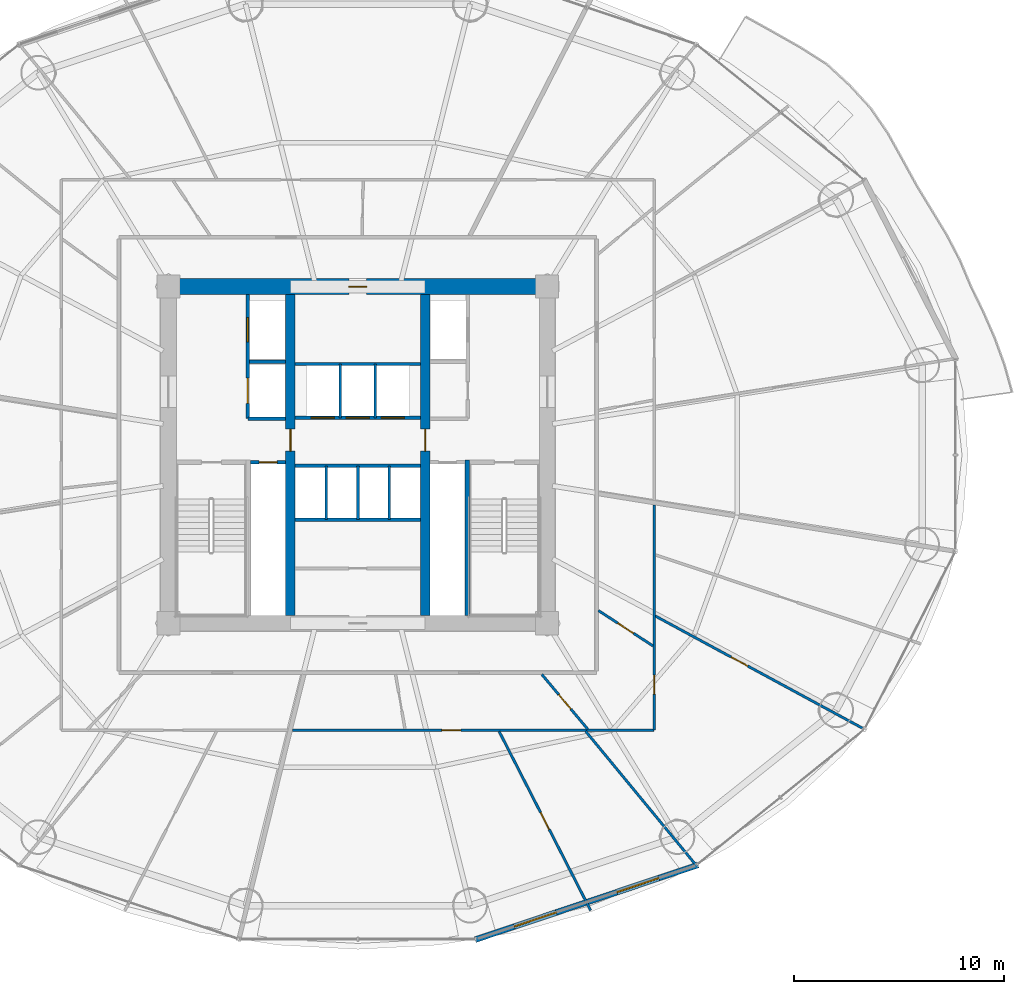
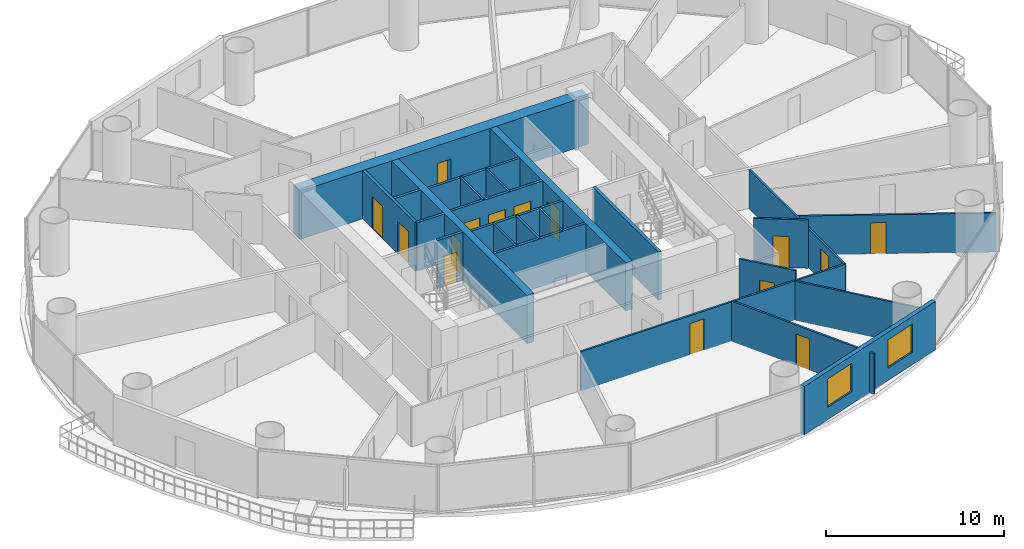
# One storey, part 24 of 30: 25 walls, 15 doors, 2 windows, 17 openings.
"""IFC4 building model written with IfcOpenShell, lengths in metres."""

from ifc_helpers import new_model, si_unit, direction, frame, frame_2d, origin, place, context, subcontext, project, spatial, rectangle, extrude, source, transform, mapped, material, layer, layer_set, type_object, element, fill, save


model = new_model("IFC4")

# Units and contexts
model_context = context("Model", 3, precision=1e-05, world=origin(), true_north=direction((-0.2419218956, 0.970295726276)))
body_context = subcontext(model_context, "Body", "Model", "MODEL_VIEW")
ifc_project = project(units=[si_unit("LENGTHUNIT", "METRE"), si_unit("AREAUNIT", "SQUARE_METRE"), si_unit("VOLUMEUNIT", "CUBIC_METRE"), si_unit("PLANEANGLEUNIT", "RADIAN"), si_unit("MASSUNIT", "GRAM", prefix="KILO")], contexts=[model_context])

# Site, building, storey
site_placement = place(None, origin())
site = spatial("IfcSite", under=ifc_project, at=site_placement, CompositionType="ELEMENT")
building_placement = place(site_placement, origin())
building = spatial("IfcBuilding", under=site, at=building_placement, Name="Cobrevalo Terracotta Tower", CompositionType="ELEMENT")
storey_placement = place(building_placement, frame((0.0, 0.0, 31.199951171875)))
storey = spatial("IfcBuildingStorey", under=building, at=storey_placement, Name="L07", CompositionType="ELEMENT", Elevation=31.199951171875)

# Wall, opening, door
ifc_material_1 = material(Name="Concrete C60", Category="concrete")
ifc_layer_1 = layer(ifc_material_1, 0.75)
ifc_layer_set_1 = layer_set([ifc_layer_1], Name="Concrete C60")
wall_type_1 = type_object("IfcWallType", Name="Core shear wall 750 mm Concrete C60", PredefinedType="SHEAR", material=ifc_layer_set_1)
wall_1_placement = place(storey_placement, frame((28.625, 34.800048828125, 0.0), z_axis=(0.0, 0.0, 1.0), x_axis=(1.0, 0.0, 0.0)))
wall_1 = element("IfcWall", 1, at=wall_1_placement, inside=storey, type_object=wall_type_1, Name="L07 north core shear wall", PredefinedType="SHEAR", context=body_context, shape_type="SweptSolid", body=[
    extrude(rectangle(XDim=18.75, YDim=0.75, at=frame_2d((9.375, 0.0))), origin(), (0.0, 0.0, 1.0), 3.320068359375),
])
opening_1_placement = place(wall_1_placement, frame((8.949951171875, 0.0, 0.0)))
opening_1 = element("IfcOpeningElement", 2, at=opening_1_placement, cuts=wall_1, Name="Opening ID-22", PredefinedType="OPENING", context=body_context, shape_type="SweptSolid", body=[
    extrude(rectangle(XDim=0.85009765625, YDim=2.10009765625, at=frame_2d((0.425048828125, 1.050048828125))), frame((0.0, 0.385009765625, 0.0), z_axis=(0.0, -1.0, 0.0), x_axis=(1.0, 0.0, 0.0)), (0.0, 0.0, 1.0), 0.77001953125),
])
ifc_material_2 = material(Name="Powder-coated steel", Category="steel")
door_type_1 = type_object("IfcDoorType", Name="Riser shaft & meter closet fire access door 850x2100 EI 60", OperationType="NOTDEFINED", PredefinedType="DOOR", material=ifc_material_2)
shared_shape_1 = source(origin(), body_context, "Body", "SweptSolid", [
    extrude(rectangle(XDim=0.85009765625, YDim=2.10009765625, at=frame_2d((0.425048828125, 1.050048828125))), frame((0.0, 0.02490234375, 0.0), z_axis=(0.0, -1.0, 0.0), x_axis=(1.0, 0.0, 0.0)), (0.0, 0.0, 1.0), 0.050048828125),
])
door_1_placement = place(opening_1_placement, frame((0.85009765625, 0.0, 0.0), z_axis=(0.0, 0.0, 1.0), x_axis=(-1.0, 0.0, 0.0)))
door_1 = element("IfcDoor", 3, at=door_1_placement, inside=storey, type_object=door_type_1, Name="L07 core north service door Floor Electrical Switchroom", OperationType="SINGLE_SWING_LEFT", OverallHeight=2.10009765625, OverallWidth=0.85009765625, PredefinedType="DOOR", context=body_context, shape_type="MappedRepresentation", body=[
    mapped(shared_shape_1, transform((0.0, 0.0, 0.0), scale=1.0)),
])
fill(opening_1, door_1)

# Walls
ifc_material_3 = material(Name="Gypsum board on steel stud", Category="steel")
ifc_layer_2 = layer(ifc_material_3, 0.159912109375)
ifc_layer_set_2 = layer_set([ifc_layer_2], Name="Gypsum board on steel stud")
wall_type_2 = type_object("IfcWallType", Name="Fire-rated corridor acoustic partition wall 160 mm", PredefinedType="PARTITIONING", material=ifc_layer_set_2)
wall_2_placement = place(storey_placement, frame((32.860107421875, 31.219970703125, 0.0), z_axis=(0.0, 0.0, 1.0), x_axis=(1.0, 0.0, 0.0)))
element("IfcWall", 4, at=wall_2_placement, inside=storey, type_object=wall_type_2, Name="L07 interior partition IW-L07-FF1-M", PredefinedType="PARTITIONING", context=body_context, shape_type="SweptSolid", body=[
    extrude(rectangle(XDim=1.71484375, YDim=0.159912109375, at=frame_2d((0.857421875, 0.0))), origin(), (0.0, 0.0, 1.0), 3.320068359375),
])
wall_3_placement = place(storey_placement, frame((32.77001953125, 28.52001953125, 0.0), z_axis=(0.0, 0.0, 1.0), x_axis=(1.0, 0.0, 0.0)))
element("IfcWall", 5, at=wall_3_placement, inside=storey, type_object=wall_type_2, Name="L07 interior partition IW-L07-FF1-S", PredefinedType="PARTITIONING", context=body_context, shape_type="SweptSolid", body=[
    extrude(rectangle(XDim=1.804931640625, YDim=0.159912109375, at=frame_2d((0.90234375, 0.0))), origin(), (0.0, 0.0, 1.0), 3.320068359375),
])

# Wall, openings, doors
wall_4_placement = place(storey_placement, frame((35.02490234375, 28.56005859375, 0.0), z_axis=(0.0, 0.0, 1.0), x_axis=(1.0, 0.0, 0.0)))
wall_4 = element("IfcWall", 6, at=wall_4_placement, inside=storey, type_object=wall_type_2, Name="L07 interior partition IW-L07-LB-S", PredefinedType="PARTITIONING", context=body_context, shape_type="SweptSolid", body=[
    extrude(rectangle(XDim=5.9501953125, YDim=0.159912109375, at=frame_2d((2.97509765625, 0.0))), origin(), (0.0, 0.0, 1.0), 3.320068359375),
])
opening_2_placement = place(wall_4_placement, frame((0.760009765625, 0.0, 0.0)))
opening_2 = element("IfcOpeningElement", 7, at=opening_2_placement, cuts=wall_4, Name="Opening LD-01", PredefinedType="OPENING", context=body_context, shape_type="SweptSolid", body=[
    extrude(rectangle(XDim=1.10009765625, YDim=2.199951171875, at=frame_2d((0.550048828125, 1.10009765625))), frame((0.0, 0.08984375, 0.0), z_axis=(0.0, -1.0, 0.0), x_axis=(1.0, 0.0, 0.0)), (0.0, 0.0, 1.0), 0.179931640625),
])
opening_3_placement = place(wall_4_placement, frame((2.425048828125, 0.0, 0.0)))
opening_3 = element("IfcOpeningElement", 8, at=opening_3_placement, cuts=wall_4, Name="Opening LD-01", PredefinedType="OPENING", context=body_context, shape_type="SweptSolid", body=[
    extrude(rectangle(XDim=1.10009765625, YDim=2.199951171875, at=frame_2d((0.550048828125, 1.10009765625))), frame((0.0, 0.08984375, 0.0), z_axis=(0.0, -1.0, 0.0), x_axis=(1.0, 0.0, 0.0)), (0.0, 0.0, 1.0), 0.179931640625),
])
opening_4_placement = place(wall_4_placement, frame((4.090087890625, 0.0, 0.0)))
opening_4 = element("IfcOpeningElement", 9, at=opening_4_placement, cuts=wall_4, Name="Opening LD-01", PredefinedType="OPENING", context=body_context, shape_type="SweptSolid", body=[
    extrude(rectangle(XDim=1.10009765625, YDim=2.199951171875, at=frame_2d((0.550048828125, 1.10009765625))), frame((0.0, 0.08984375, 0.0), z_axis=(0.0, -1.0, 0.0), x_axis=(1.0, 0.0, 0.0)), (0.0, 0.0, 1.0), 0.179931640625),
])
ifc_material_4 = material(Name="Brushed stainless steel", Category="steel")
door_type_2 = type_object("IfcDoorType", Name="Passenger lift landing bi-parting sliding door 1100x2200 EI 90", OperationType="DOUBLE_DOOR_SLIDING", PredefinedType="DOOR", material=ifc_material_4)
shared_shape_2 = source(origin(), body_context, "Body", "SweptSolid", [
    extrude(rectangle(XDim=1.10009765625, YDim=2.199951171875, at=frame_2d((0.550048828125, 1.10009765625))), frame((0.0, 0.02490234375, 0.0), z_axis=(0.0, -1.0, 0.0), x_axis=(1.0, 0.0, 0.0)), (0.0, 0.0, 1.0), 0.050048828125),
])
door_2_placement = place(opening_2_placement, origin())
door_2 = element("IfcDoor", 10, at=door_2_placement, inside=storey, type_object=door_type_2, Name="L07 lift landing door PL-L1", OperationType="DOUBLE_DOOR_SLIDING", OverallHeight=2.199951171875, OverallWidth=1.10009765625, PredefinedType="DOOR", context=body_context, shape_type="MappedRepresentation", body=[
    mapped(shared_shape_2, transform((0.0, 0.0, 0.0), scale=1.0)),
])
fill(opening_2, door_2)
door_3_placement = place(opening_3_placement, origin())
door_3 = element("IfcDoor", 11, at=door_3_placement, inside=storey, type_object=door_type_2, Name="L07 lift landing door PL-L2", OperationType="DOUBLE_DOOR_SLIDING", OverallHeight=2.199951171875, OverallWidth=1.10009765625, PredefinedType="DOOR", context=body_context, shape_type="MappedRepresentation", body=[
    mapped(shared_shape_2, transform((0.0, 0.0, 0.0), scale=1.0)),
])
fill(opening_3, door_3)
door_4_placement = place(opening_4_placement, origin())
door_4 = element("IfcDoor", 12, at=door_4_placement, inside=storey, type_object=door_type_2, Name="L07 lift landing door PL-L3", OperationType="DOUBLE_DOOR_SLIDING", OverallHeight=2.199951171875, OverallWidth=1.10009765625, PredefinedType="DOOR", context=body_context, shape_type="MappedRepresentation", body=[
    mapped(shared_shape_2, transform((0.0, 0.0, 0.0), scale=1.0)),
])
fill(opening_4, door_4)

# Walls
for number, where, z_axis, x_axis, name in (
    (13, (35.02490234375, 31.1201171875, 0.0), (0.0, 0.0, 1.0), (1.0, 0.0, 0.0), "L07 interior partition IW-L07-LB-N"),
    (14, (35.02490234375, 26.280029296875, 0.0), (0.0, 0.0, 1.0), (1.0, 0.0, 0.0), "L07 interior partition IW-L07-MB-N"),
    (15, (35.02490234375, 23.719970703125, 0.0), (0.0, 0.0, 1.0), (1.0, 0.0, 0.0), "L07 interior partition IW-L07-MB-S"),
):
    element("IfcWall", number, at=place(storey_placement, frame(where, z_axis=z_axis, x_axis=x_axis)), inside=storey, type_object=wall_type_2, Name=name, PredefinedType="PARTITIONING", context=body_context, shape_type="SweptSolid", body=[
        extrude(rectangle(XDim=5.9501953125, YDim=0.159912109375, at=frame_2d((2.97509765625, 0.0))), origin(), (0.0, 0.0, 1.0), 3.320068359375),
    ])

# Wall, opening, door
ifc_layer_3 = layer(ifc_material_3, 0.179931640625)
ifc_layer_set_3 = layer_set([ifc_layer_3], Name="Gypsum board on steel stud")
wall_type_3 = type_object("IfcWallType", Name="Fire-rated shaft & lobby acoustic partition wall 180 mm", PredefinedType="PARTITIONING", material=ifc_layer_set_3)
wall_5_placement = place(storey_placement, frame((32.89990234375, 26.449951171875, 0.0), z_axis=(0.0, 0.0, 1.0), x_axis=(1.0, 0.0, 0.0)))
wall_5 = element("IfcWall", 16, at=wall_5_placement, inside=storey, type_object=wall_type_3, Name="L07 interior partition IW-L07-RSW-N", PredefinedType="PARTITIONING", context=body_context, shape_type="SweptSolid", body=[
    extrude(rectangle(XDim=1.675048828125, YDim=0.179931640625, at=frame_2d((0.83740234375, 0.0))), origin(), (0.0, 0.0, 1.0), 3.320068359375),
])
opening_5_placement = place(wall_5_placement, frame((0.41259765625, 0.0, 0.0)))
opening_5 = element("IfcOpeningElement", 17, at=opening_5_placement, cuts=wall_5, Name="Opening ID-22", PredefinedType="OPENING", context=body_context, shape_type="SweptSolid", body=[
    extrude(rectangle(XDim=0.85009765625, YDim=2.10009765625, at=frame_2d((0.425048828125, 1.050048828125))), frame((0.0, 0.10009765625, 0.0), z_axis=(0.0, -1.0, 0.0), x_axis=(1.0, 0.0, 0.0)), (0.0, 0.0, 1.0), 0.199951171875),
])
door_5_placement = place(opening_5_placement, origin())
door_5 = element("IfcDoor", 18, at=door_5_placement, inside=storey, type_object=door_type_1, Name="L07 riser access door RSW", OperationType="SINGLE_SWING_LEFT", OverallHeight=2.10009765625, OverallWidth=0.85009765625, PredefinedType="DOOR", context=body_context, shape_type="MappedRepresentation", body=[
    mapped(shared_shape_1, transform((0.0, 0.0, 0.0), scale=1.0)),
])
fill(opening_5, door_5)

# Wall, openings, doors
wall_6_placement = place(storey_placement, frame((32.77001953125, 28.52001953125, 0.0), z_axis=(0.0, 0.0, 1.0), x_axis=(0.0, 1.0, 0.0)))
wall_6 = element("IfcWall", 19, at=wall_6_placement, inside=storey, type_object=wall_type_3, Name="L07 interior partition IW-L07-FF1-W", PredefinedType="PARTITIONING", context=body_context, shape_type="SweptSolid", body=[
    extrude(rectangle(XDim=5.905029296875, YDim=0.179931640625, at=frame_2d((2.95263671875, 0.0))), origin(), (0.0, 0.0, 1.0), 3.320068359375),
])
opening_6_placement = place(wall_6_placement, frame((3.655029296875, 0.0, 0.0)))
opening_6 = element("IfcOpeningElement", 20, at=opening_6_placement, cuts=wall_6, Name="Opening LD-02", PredefinedType="OPENING", context=body_context, shape_type="SweptSolid", body=[
    extrude(rectangle(XDim=1.14990234375, YDim=2.199951171875, at=frame_2d((0.574951171875, 1.10009765625))), frame((0.0, 0.10009765625, 0.0), z_axis=(0.0, -1.0, 0.0), x_axis=(1.0, 0.0, 0.0)), (0.0, 0.0, 1.0), 0.199951171875),
])
opening_7_placement = place(wall_6_placement, frame((0.72998046875, 0.0, 0.0)))
opening_7 = element("IfcOpeningElement", 21, at=opening_7_placement, cuts=wall_6, Name="Opening LD-03", PredefinedType="OPENING", context=body_context, shape_type="SweptSolid", body=[
    extrude(rectangle(XDim=1.199951171875, YDim=2.25, at=frame_2d((0.60009765625, 1.125))), frame((0.0, 0.10009765625, 0.0), z_axis=(0.0, -1.0, 0.0), x_axis=(1.0, 0.0, 0.0)), (0.0, 0.0, 1.0), 0.199951171875),
])
door_type_3 = type_object("IfcDoorType", Name="Firefighting lift landing bi-parting sliding door 1150x2200 EI 120", OperationType="DOUBLE_DOOR_SLIDING", PredefinedType="DOOR", material=ifc_material_4)
shared_shape_3 = source(origin(), body_context, "Body", "SweptSolid", [
    extrude(rectangle(XDim=1.14990234375, YDim=2.199951171875, at=frame_2d((0.574951171875, 1.10009765625))), frame((0.0, 0.02490234375, 0.0), z_axis=(0.0, -1.0, 0.0), x_axis=(1.0, 0.0, 0.0)), (0.0, 0.0, 1.0), 0.050048828125),
])
door_6_placement = place(opening_6_placement, origin())
door_6 = element("IfcDoor", 22, at=door_6_placement, inside=storey, type_object=door_type_3, Name="L07 lift landing door FF-1", OperationType="DOUBLE_DOOR_SLIDING", OverallHeight=2.199951171875, OverallWidth=1.14990234375, PredefinedType="DOOR", context=body_context, shape_type="MappedRepresentation", body=[
    mapped(shared_shape_3, transform((0.0, 0.0, 0.0), scale=1.0)),
])
fill(opening_6, door_6)
door_type_4 = type_object("IfcDoorType", Name="Service lift landing bi-parting sliding door 1200x2250 EI 120", OperationType="DOUBLE_DOOR_SLIDING", PredefinedType="DOOR", material=ifc_material_4)
shared_shape_4 = source(origin(), body_context, "Body", "SweptSolid", [
    extrude(rectangle(XDim=1.199951171875, YDim=2.25, at=frame_2d((0.60009765625, 1.125))), frame((0.0, 0.02490234375, 0.0), z_axis=(0.0, -1.0, 0.0), x_axis=(1.0, 0.0, 0.0)), (0.0, 0.0, 1.0), 0.050048828125),
])
door_7_placement = place(opening_7_placement, origin())
door_7 = element("IfcDoor", 23, at=door_7_placement, inside=storey, type_object=door_type_4, Name="L07 lift landing door SV-1", OperationType="DOUBLE_DOOR_SLIDING", OverallHeight=2.25, OverallWidth=1.199951171875, PredefinedType="DOOR", context=body_context, shape_type="MappedRepresentation", body=[
    mapped(shared_shape_4, transform((0.0, 0.0, 0.0), scale=1.0)),
])
fill(opening_7, door_7)

# Walls
ifc_material_5 = material(Name="Autoclaved aerated concrete block", Category="concrete")
ifc_layer_4 = layer(ifc_material_5, 0.1201171875)
ifc_layer_set_4 = layer_set([ifc_layer_4], Name="Autoclaved aerated concrete block")
wall_type_4 = type_object("IfcWallType", Name="Fire-rated wet-room & core service partition 120 mm", PredefinedType="PARTITIONING", material=ifc_layer_set_4)
for number, where, z_axis, x_axis, name in (
    (24, (37.169921875, 28.56005859375, 0.0), (0.0, 0.0, 1.0), (0.0, 1.0, 0.0), "L07 interior partition IW-L07-LB-D1"),
    (25, (38.830078125, 28.56005859375, 0.0), (0.0, 0.0, 1.0), (0.0, 1.0, 0.0), "L07 interior partition IW-L07-LB-D2"),
    (26, (36.5, 23.719970703125, 0.0), (0.0, 0.0, 1.0), (0.0, 1.0, 0.0), "L07 interior partition IW-L07-MB-D1"),
    (27, (39.5, 23.719970703125, 0.0), (0.0, 0.0, 1.0), (0.0, 1.0, 0.0), "L07 interior partition IW-L07-MB-D3"),
):
    element("IfcWall", number, at=place(storey_placement, frame(where, z_axis=z_axis, x_axis=x_axis)), inside=storey, type_object=wall_type_4, Name=name, PredefinedType="PARTITIONING", context=body_context, shape_type="SweptSolid", body=[
        extrude(rectangle(XDim=2.56005859375, YDim=0.1201171875, at=frame_2d((1.280029296875, 0.0))), origin(), (0.0, 0.0, 1.0), 3.320068359375),
    ])

# Wall, openings, windows
ifc_layer_5 = layer(ifc_material_5, 0.280029296875)
ifc_layer_set_5 = layer_set([ifc_layer_5], Name="Autoclaved aerated concrete block")
wall_type_5 = type_object("IfcWallType", Name="Insulated tower spandrel & pier wall 280 mm with terracotta rainscreen", PredefinedType="SOLIDWALL", material=ifc_layer_set_5)
wall_7_placement = place(storey_placement, frame((43.575927734375, 3.755615234375, 0.0), z_axis=(0.0, 0.0, 1.0), x_axis=(0.948047847546, 0.31812777113, 0.0)))
wall_7 = element("IfcWall", 28, at=wall_7_placement, inside=storey, type_object=wall_type_5, Name="L07 terracotta rainscreen pier wall S13", PredefinedType="SOLIDWALL", context=body_context, shape_type="SweptSolid", body=[
    extrude(rectangle(XDim=11.17529296875, YDim=0.280029296875, at=frame_2d((5.587646484375, 0.0))), origin(), (0.0, 0.0, 1.0), 3.320068359375),
])
opening_8_placement = place(wall_7_placement, frame((1.96728515625, 0.0, 0.85009765625)))
opening_8 = element("IfcOpeningElement", 29, at=opening_8_placement, cuts=wall_7, Name="Opening WN-10", PredefinedType="OPENING", context=body_context, shape_type="SweptSolid", body=[
    extrude(rectangle(XDim=2.10009765625, YDim=1.949951171875, at=frame_2d((1.050048828125, 0.97509765625))), frame((0.0, 0.14990234375, 0.0), z_axis=(0.0, -1.0, 0.0), x_axis=(1.0, 0.0, 0.0)), (0.0, 0.0, 1.0), 0.300048828125),
])
opening_9_placement = place(wall_7_placement, frame((7.108154296875, 0.0, 0.85009765625)))
opening_9 = element("IfcOpeningElement", 30, at=opening_9_placement, cuts=wall_7, Name="Opening WN-10", PredefinedType="OPENING", context=body_context, shape_type="SweptSolid", body=[
    extrude(rectangle(XDim=2.10009765625, YDim=1.949951171875, at=frame_2d((1.050048828125, 0.97509765625))), frame((0.0, 0.14990234375, 0.0), z_axis=(0.0, -1.0, 0.0), x_axis=(1.0, 0.0, 0.0)), (0.0, 0.0, 1.0), 0.300048828125),
])
ifc_material_6 = material(Name="Solar-control low-E double glazing", Category="glass")
window_type = type_object("IfcWindowType", Name="Wide panoramic low-E aluminium window 2100x1950", PartitioningType="SINGLE_PANEL", PredefinedType="WINDOW", material=ifc_material_6)
shared_shape_5 = source(origin(), body_context, "Body", "SweptSolid", [
    extrude(rectangle(XDim=2.10009765625, YDim=1.949951171875, at=frame_2d((1.050048828125, 0.97509765625))), frame((0.0, 0.030029296875, 0.0), z_axis=(0.0, -1.0, 0.0), x_axis=(1.0, 0.0, 0.0)), (0.0, 0.0, 1.0), 0.06005859375),
])
window_1_placement = place(opening_8_placement, origin())
window_1 = element("IfcWindow", 31, at=window_1_placement, inside=storey, type_object=window_type, Name="L07 suite window S13A", OverallHeight=1.949951171875, OverallWidth=2.10009765625, PartitioningType="SINGLE_PANEL", PredefinedType="WINDOW", context=body_context, shape_type="MappedRepresentation", body=[
    mapped(shared_shape_5, transform((0.0, 0.0, 0.0), scale=1.0)),
])
fill(opening_8, window_1)
window_2_placement = place(opening_9_placement, origin())
window_2 = element("IfcWindow", 32, at=window_2_placement, inside=storey, type_object=window_type, Name="L07 suite window S13B", OverallHeight=1.949951171875, OverallWidth=2.10009765625, PartitioningType="SINGLE_PANEL", PredefinedType="WINDOW", context=body_context, shape_type="MappedRepresentation", body=[
    mapped(shared_shape_5, transform((0.0, 0.0, 0.0), scale=1.0)),
])
fill(opening_9, window_2)

# Wall, opening, door
ifc_material_7 = material(Name="Concrete C55", Category="concrete")
ifc_layer_6 = layer(ifc_material_7, 0.449951171875)
ifc_layer_set_6 = layer_set([ifc_layer_6], Name="Concrete C55")
wall_type_6 = type_object("IfcWallType", Name="Internal core shear web wall 450 mm Concrete C55", PredefinedType="SHEAR", material=ifc_layer_set_6)
wall_8_placement = place(storey_placement, frame((34.800048828125, 19.175048828125, 0.0), z_axis=(0.0, 0.0, 1.0), x_axis=(0.0, 1.0, 0.0)))
wall_8 = element("IfcWall", 33, at=wall_8_placement, inside=storey, type_object=wall_type_6, Name="L07 internal core shear wall WEB-W", PredefinedType="SHEAR", context=body_context, shape_type="SweptSolid", body=[
    extrude(rectangle(XDim=15.25, YDim=0.449951171875, at=frame_2d((7.625, 0.0))), origin(), (0.0, 0.0, 1.0), 3.320068359375),
])
opening_10_placement = place(wall_8_placement, frame((7.800048828125, 0.0, 0.0)))
opening_10 = element("IfcOpeningElement", 34, at=opening_10_placement, cuts=wall_8, Name="Opening ID-11", PredefinedType="OPENING", context=body_context, shape_type="SweptSolid", body=[
    extrude(rectangle(XDim=1.050048828125, YDim=2.14990234375, at=frame_2d((0.52490234375, 1.074951171875))), frame((0.0, 0.23486328125, 0.0), z_axis=(0.0, -1.0, 0.0), x_axis=(1.0, 0.0, 0.0)), (0.0, 0.0, 1.0), 0.469970703125),
])
ifc_material_8 = material(Name="Galvanized fire-rated steel", Category="steel")
door_type_5 = type_object("IfcDoorType", Name="Core concourse cross fire door 1050x2150 EI 90", OperationType="NOTDEFINED", PredefinedType="DOOR", material=ifc_material_8)
shared_shape_6 = source(origin(), body_context, "Body", "SweptSolid", [
    extrude(rectangle(XDim=1.050048828125, YDim=2.14990234375, at=frame_2d((0.52490234375, 1.074951171875))), frame((0.0, 0.02490234375, 0.0), z_axis=(0.0, -1.0, 0.0), x_axis=(1.0, 0.0, 0.0)), (0.0, 0.0, 1.0), 0.050048828125),
])
door_8_placement = place(opening_10_placement, origin())
door_8 = element("IfcDoor", 35, at=door_8_placement, inside=storey, type_object=door_type_5, Name="L07 west core concourse cross door", OperationType="SINGLE_SWING_LEFT", OverallHeight=2.14990234375, OverallWidth=1.050048828125, PredefinedType="DOOR", context=body_context, shape_type="MappedRepresentation", body=[
    mapped(shared_shape_6, transform((0.0, 0.0, 0.0), scale=1.0)),
])
fill(opening_10, door_8)

wall_9_placement = place(storey_placement, frame((41.199951171875, 19.175048828125, 0.0), z_axis=(0.0, 0.0, 1.0), x_axis=(0.0, 1.0, 0.0)))
wall_9 = element("IfcWall", 36, at=wall_9_placement, inside=storey, type_object=wall_type_6, Name="L07 internal core shear wall WEB-E", PredefinedType="SHEAR", context=body_context, shape_type="SweptSolid", body=[
    extrude(rectangle(XDim=15.25, YDim=0.449951171875, at=frame_2d((7.625, 0.0))), origin(), (0.0, 0.0, 1.0), 3.320068359375),
])
opening_11_placement = place(wall_9_placement, frame((7.800048828125, 0.0, 0.0)))
opening_11 = element("IfcOpeningElement", 37, at=opening_11_placement, cuts=wall_9, Name="Opening ID-11", PredefinedType="OPENING", context=body_context, shape_type="SweptSolid", body=[
    extrude(rectangle(XDim=1.050048828125, YDim=2.14990234375, at=frame_2d((0.52490234375, 1.074951171875))), frame((0.0, 0.23486328125, 0.0), z_axis=(0.0, -1.0, 0.0), x_axis=(1.0, 0.0, 0.0)), (0.0, 0.0, 1.0), 0.469970703125),
])
door_9_placement = place(opening_11_placement, frame((1.050048828125, 0.0, 0.0), z_axis=(0.0, 0.0, 1.0), x_axis=(-1.0, 0.0, 0.0)))
door_9 = element("IfcDoor", 38, at=door_9_placement, inside=storey, type_object=door_type_5, Name="L07 east core concourse cross door", OperationType="SINGLE_SWING_RIGHT", OverallHeight=2.14990234375, OverallWidth=1.050048828125, PredefinedType="DOOR", context=body_context, shape_type="MappedRepresentation", body=[
    mapped(shared_shape_6, transform((0.0, 0.0, 0.0), scale=1.0)),
])
fill(opening_11, door_9)

# Wall
ifc_layer_7 = layer(ifc_material_5, 0.139892578125)
ifc_layer_set_7 = layer_set([ifc_layer_7], Name="Autoclaved aerated concrete block")
wall_type_7 = type_object("IfcWallType", Name="Moisture-resistant wet-room & core service partition 140 mm", PredefinedType="PARTITIONING", material=ifc_layer_set_7)
wall_10_placement = place(storey_placement, frame((38.0, 23.719970703125, 0.0), z_axis=(0.0, 0.0, 1.0), x_axis=(0.0, 1.0, 0.0)))
element("IfcWall", 39, at=wall_10_placement, inside=storey, type_object=wall_type_7, Name="L07 interior partition IW-L07-MB-D2", PredefinedType="PARTITIONING", context=body_context, shape_type="SweptSolid", body=[
    extrude(rectangle(XDim=2.56005859375, YDim=0.139892578125, at=frame_2d((1.280029296875, 0.0))), origin(), (0.0, 0.0, 1.0), 3.320068359375),
])

# Wall, opening, door
ifc_layer_8 = layer(ifc_material_3, 0.1201171875)
ifc_layer_set_8 = layer_set([ifc_layer_8], Name="Gypsum board on steel stud")
wall_type_8 = type_object("IfcWallType", Name="Residential internal acoustic stud partition 120 mm", PredefinedType="PARTITIONING", material=ifc_layer_set_8)
wall_11_placement = place(storey_placement, frame((52.0849609375, 24.427734375, 0.0), z_axis=(0.0, 0.0, 1.0), x_axis=(0.0, -1.0, 0.0)))
wall_11 = element("IfcWall", 40, at=wall_11_placement, inside=storey, type_object=wall_type_8, Name="L07 interior partition IW-L07-U4-RING0_0", PredefinedType="PARTITIONING", context=body_context, shape_type="SweptSolid", body=[
    extrude(rectangle(XDim=10.712646484375, YDim=0.1201171875, at=frame_2d((5.3564453125, 0.0))), origin(), (0.0, 0.0, 1.0), 2.68798828125),
])
opening_12_placement = place(wall_11_placement, frame((8.093505859375, 0.0, 0.0)))
opening_12 = element("IfcOpeningElement", 41, at=opening_12_placement, cuts=wall_11, Name="Opening ID-12", PredefinedType="OPENING", context=body_context, shape_type="SweptSolid", body=[
    extrude(rectangle(XDim=0.89990234375, YDim=2.14990234375, at=frame_2d((0.449951171875, 1.074951171875))), frame((0.0, 0.070068359375, 0.0), z_axis=(0.0, -1.0, 0.0), x_axis=(1.0, 0.0, 0.0)), (0.0, 0.0, 1.0), 0.14013671875),
])
ifc_material_9 = material(Name="Engineered timber", Category="wood")
door_type_6 = type_object("IfcDoorType", Name="Internal residence & suite timber door 900x2150", OperationType="NOTDEFINED", PredefinedType="DOOR", material=ifc_material_9)
shared_shape_7 = source(origin(), body_context, "Body", "SweptSolid", [
    extrude(rectangle(XDim=0.89990234375, YDim=2.14990234375, at=frame_2d((0.449951171875, 1.074951171875))), frame((0.0, 0.02490234375, 0.0), z_axis=(0.0, -1.0, 0.0), x_axis=(1.0, 0.0, 0.0)), (0.0, 0.0, 1.0), 0.050048828125),
])
door_10_placement = place(opening_12_placement, origin())
door_10 = element("IfcDoor", 42, at=door_10_placement, inside=storey, type_object=door_type_6, Name="Flat L07D Penthouse Family Lounge internal door", OperationType="SINGLE_SWING_RIGHT", OverallHeight=2.14990234375, OverallWidth=0.89990234375, PredefinedType="DOOR", context=body_context, shape_type="MappedRepresentation", body=[
    mapped(shared_shape_7, transform((0.0, 0.0, 0.0), scale=1.0)),
])
fill(opening_12, door_10)

wall_12_placement = place(storey_placement, frame((52.0849609375, 13.715087890625, 0.0), z_axis=(0.0, 0.0, 1.0), x_axis=(-1.0, 0.0, 0.0)))
wall_12 = element("IfcWall", 43, at=wall_12_placement, inside=storey, type_object=wall_type_8, Name="L07 interior partition IW-L07-U4-RING1_0", PredefinedType="PARTITIONING", context=body_context, shape_type="SweptSolid", body=[
    extrude(rectangle(XDim=17.19482421875, YDim=0.1201171875, at=frame_2d((8.597412109375, 0.0))), origin(), (0.0, 0.0, 1.0), 2.68798828125),
])
opening_13_placement = place(wall_12_placement, frame((9.19140625, 0.0, 0.0)))
opening_13 = element("IfcOpeningElement", 44, at=opening_13_placement, cuts=wall_12, Name="Opening ID-12", PredefinedType="OPENING", context=body_context, shape_type="SweptSolid", body=[
    extrude(rectangle(XDim=0.89990234375, YDim=2.14990234375, at=frame_2d((0.449951171875, 1.074951171875))), frame((0.0, 0.070068359375, 0.0), z_axis=(0.0, -1.0, 0.0), x_axis=(1.0, 0.0, 0.0)), (0.0, 0.0, 1.0), 0.14013671875),
])
door_11_placement = place(opening_13_placement, origin())
door_11 = element("IfcDoor", 45, at=door_11_placement, inside=storey, type_object=door_type_6, Name="Flat L07D Penthouse Living and Dining Room internal door", OperationType="SINGLE_SWING_RIGHT", OverallHeight=2.14990234375, OverallWidth=0.89990234375, PredefinedType="DOOR", context=body_context, shape_type="MappedRepresentation", body=[
    mapped(shared_shape_7, transform((0.0, 0.0, 0.0), scale=1.0)),
])
fill(opening_13, door_11)

wall_13_placement = place(storey_placement, frame((44.716796875, 13.65966796875, 0.0), z_axis=(0.0, 0.0, 1.0), x_axis=(0.455131303234, -0.890424335256, 0.0)))
wall_13 = element("IfcWall", 46, at=wall_13_placement, inside=storey, type_object=wall_type_8, Name="L07 interior partition IW-L07-U4-ORAD1", PredefinedType="PARTITIONING", context=body_context, shape_type="SweptSolid", body=[
    extrude(rectangle(XDim=9.562255859375, YDim=0.1201171875, at=frame_2d((4.78125, 0.0))), origin(), (0.0, 0.0, 1.0), 2.761962890625),
])
opening_14_placement = place(wall_13_placement, frame((4.3310546875, 0.0, 0.0)))
opening_14 = element("IfcOpeningElement", 47, at=opening_14_placement, cuts=wall_13, Name="Opening ID-12", PredefinedType="OPENING", context=body_context, shape_type="SweptSolid", body=[
    extrude(rectangle(XDim=0.89990234375, YDim=2.14990234375, at=frame_2d((0.449951171875, 1.074951171875))), frame((0.0, 0.070068359375, 0.0), z_axis=(0.0, -1.0, 0.0), x_axis=(1.0, 0.0, 0.0)), (0.0, 0.0, 1.0), 0.14013671875),
])
door_12_placement = place(opening_14_placement, origin())
door_12 = element("IfcDoor", 48, at=door_12_placement, inside=storey, type_object=door_type_6, Name="Flat L07D Master Bedroom internal door", OperationType="SINGLE_SWING_RIGHT", OverallHeight=2.14990234375, OverallWidth=0.89990234375, PredefinedType="DOOR", context=body_context, shape_type="MappedRepresentation", body=[
    mapped(shared_shape_7, transform((0.0, 0.0, 0.0), scale=1.0)),
])
fill(opening_14, door_12)

# Wall
wall_14_placement = place(storey_placement, frame((48.828857421875, 13.667236328125, 0.0), z_axis=(0.0, 0.0, 1.0), x_axis=(0.636177533893, -0.771542704826, 0.0)))
element("IfcWall", 49, at=wall_14_placement, inside=storey, type_object=wall_type_8, Name="L07 interior partition IW-L07-U4-ORAD2M1", PredefinedType="PARTITIONING", context=body_context, shape_type="SweptSolid", body=[
    extrude(rectangle(XDim=8.1865234375, YDim=0.1201171875, at=frame_2d((4.09326171875, 0.0))), origin(), (0.0, 0.0, 1.0), 2.68798828125),
])

# Wall, opening, door
wall_15_placement = place(storey_placement, frame((52.139404296875, 19.14404296875, 0.0), z_axis=(0.0, 0.0, 1.0), x_axis=(0.879372452045, -0.476134529922, 0.0)))
wall_15 = element("IfcWall", 50, at=wall_15_placement, inside=storey, type_object=wall_type_8, Name="L07 interior partition IW-L07-U4-ORAD2", PredefinedType="PARTITIONING", context=body_context, shape_type="SweptSolid", body=[
    extrude(rectangle(XDim=11.219482421875, YDim=0.1201171875, at=frame_2d((5.60986328125, 0.0))), origin(), (0.0, 0.0, 1.0), 2.68798828125),
])
opening_15_placement = place(wall_15_placement, frame((4.0966796875, 0.0, 0.0)))
opening_15 = element("IfcOpeningElement", 51, at=opening_15_placement, cuts=wall_15, Name="Opening ID-12", PredefinedType="OPENING", context=body_context, shape_type="SweptSolid", body=[
    extrude(rectangle(XDim=0.89990234375, YDim=2.14990234375, at=frame_2d((0.449951171875, 1.074951171875))), frame((0.0, 0.070068359375, 0.0), z_axis=(0.0, -1.0, 0.0), x_axis=(1.0, 0.0, 0.0)), (0.0, 0.0, 1.0), 0.14013671875),
])
door_13_placement = place(opening_15_placement, origin())
door_13 = element("IfcDoor", 52, at=door_13_placement, inside=storey, type_object=door_type_6, Name="Flat L07D Principal Guest Bedroom internal door", OperationType="SINGLE_SWING_LEFT", OverallHeight=2.14990234375, OverallWidth=0.89990234375, PredefinedType="DOOR", context=body_context, shape_type="MappedRepresentation", body=[
    mapped(shared_shape_7, transform((0.0, 0.0, 0.0), scale=1.0)),
])
fill(opening_15, door_13)

wall_16_placement = place(storey_placement, frame((46.74853515625, 16.364990234375, 0.0), z_axis=(0.0, 0.0, 1.0), x_axis=(0.64245841772, -0.766320547487, 0.0)))
wall_16 = element("IfcWall", 53, at=wall_16_placement, inside=storey, type_object=wall_type_8, Name="L07 interior partition IW-L07-U4-IRAD2", PredefinedType="PARTITIONING", context=body_context, shape_type="SweptSolid", body=[
    extrude(rectangle(XDim=3.396240234375, YDim=0.1201171875, at=frame_2d((1.6982421875, 0.0))), origin(), (0.0, 0.0, 1.0), 3.320068359375),
])
opening_16_placement = place(wall_16_placement, frame((1.248046875, 0.0, 0.0)))
opening_16 = element("IfcOpeningElement", 54, at=opening_16_placement, cuts=wall_16, Name="Opening ID-12", PredefinedType="OPENING", context=body_context, shape_type="SweptSolid", body=[
    extrude(rectangle(XDim=0.89990234375, YDim=2.14990234375, at=frame_2d((0.449951171875, 1.074951171875))), frame((0.0, 0.070068359375, 0.0), z_axis=(0.0, -1.0, 0.0), x_axis=(1.0, 0.0, 0.0)), (0.0, 0.0, 1.0), 0.14013671875),
])
door_14_placement = place(opening_16_placement, origin())
door_14 = element("IfcDoor", 55, at=door_14_placement, inside=storey, type_object=door_type_6, Name="Flat L07D Kitchen internal door", OperationType="SINGLE_SWING_LEFT", OverallHeight=2.14990234375, OverallWidth=0.89990234375, PredefinedType="DOOR", context=body_context, shape_type="MappedRepresentation", body=[
    mapped(shared_shape_7, transform((0.0, 0.0, 0.0), scale=1.0)),
])
fill(opening_16, door_14)

wall_17_placement = place(storey_placement, frame((49.43505859375, 19.402099609375, 0.0), z_axis=(0.0, 0.0, 1.0), x_axis=(0.839582858019, -0.543231649042, 0.0)))
wall_17 = element("IfcWall", 56, at=wall_17_placement, inside=storey, type_object=wall_type_8, Name="L07 interior partition IW-L07-U4-IRAD3", PredefinedType="PARTITIONING", context=body_context, shape_type="SweptSolid", body=[
    extrude(rectangle(XDim=3.09423828125, YDim=0.1201171875, at=frame_2d((1.547119140625, 0.0))), origin(), (0.0, 0.0, 1.0), 3.320068359375),
])
opening_17_placement = place(wall_17_placement, frame((1.09716796875, 0.0, 0.0)))
opening_17 = element("IfcOpeningElement", 57, at=opening_17_placement, cuts=wall_17, Name="Opening ID-12", PredefinedType="OPENING", context=body_context, shape_type="SweptSolid", body=[
    extrude(rectangle(XDim=0.89990234375, YDim=2.14990234375, at=frame_2d((0.449951171875, 1.074951171875))), frame((0.0, 0.070068359375, 0.0), z_axis=(0.0, -1.0, 0.0), x_axis=(1.0, 0.0, 0.0)), (0.0, 0.0, 1.0), 0.14013671875),
])
door_15_placement = place(opening_17_placement, origin())
door_15 = element("IfcDoor", 58, at=door_15_placement, inside=storey, type_object=door_type_6, Name="Flat L07D Home Office Study internal door", OperationType="SINGLE_SWING_LEFT", OverallHeight=2.14990234375, OverallWidth=0.89990234375, PredefinedType="DOOR", context=body_context, shape_type="MappedRepresentation", body=[
    mapped(shared_shape_7, transform((0.0, 0.0, 0.0), scale=1.0)),
])
fill(opening_17, door_15)

# Wall
ifc_material_10 = material(Name="Concrete C50", Category="concrete")
ifc_layer_9 = layer(ifc_material_10, 0.199951171875)
ifc_layer_set_9 = layer_set([ifc_layer_9], Name="Concrete C50")
wall_type_9 = type_object("IfcWallType", Name="Structural core & podium stair-shaft RC wall 200 mm Concrete C50", PredefinedType="SOLIDWALL", material=ifc_layer_set_9)
wall_18_placement = place(storey_placement, frame((43.205078125, 19.175048828125, 0.0), z_axis=(0.0, 0.0, 1.0), x_axis=(0.0, 1.0, 0.0)))
element("IfcWall", 59, at=wall_18_placement, inside=storey, type_object=wall_type_9, Name="L07 ST-2 west structural shaft wall", PredefinedType="SOLIDWALL", context=body_context, shape_type="SweptSolid", body=[
    extrude(rectangle(XDim=7.375, YDim=0.199951171875, at=frame_2d((3.6875, 0.0))), origin(), (0.0, 0.0, 1.0), 3.320068359375),
])

save(model, "model.ifc")
